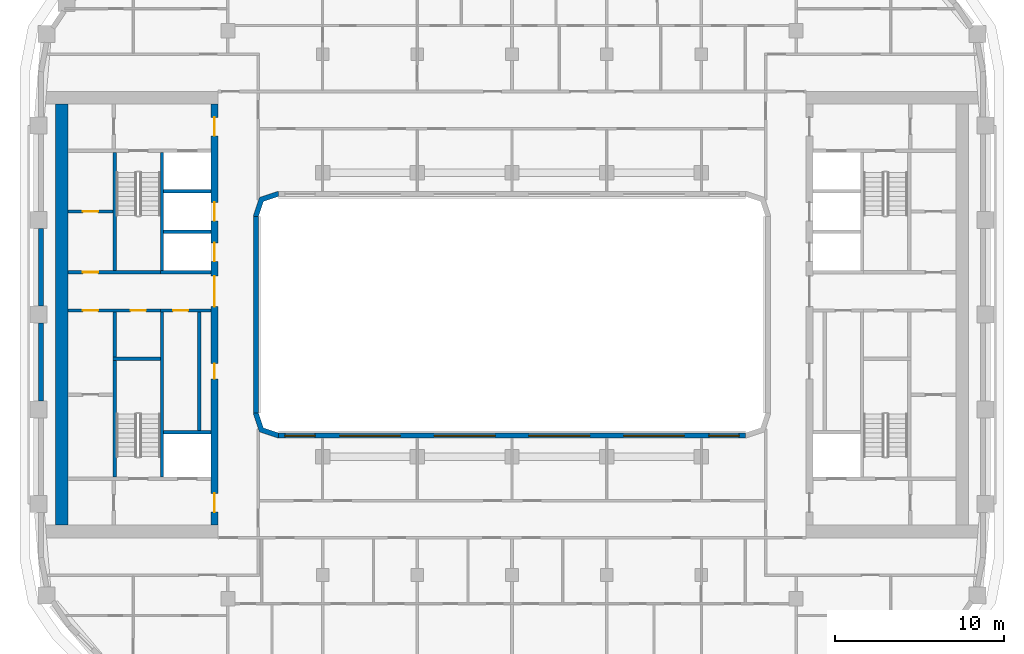
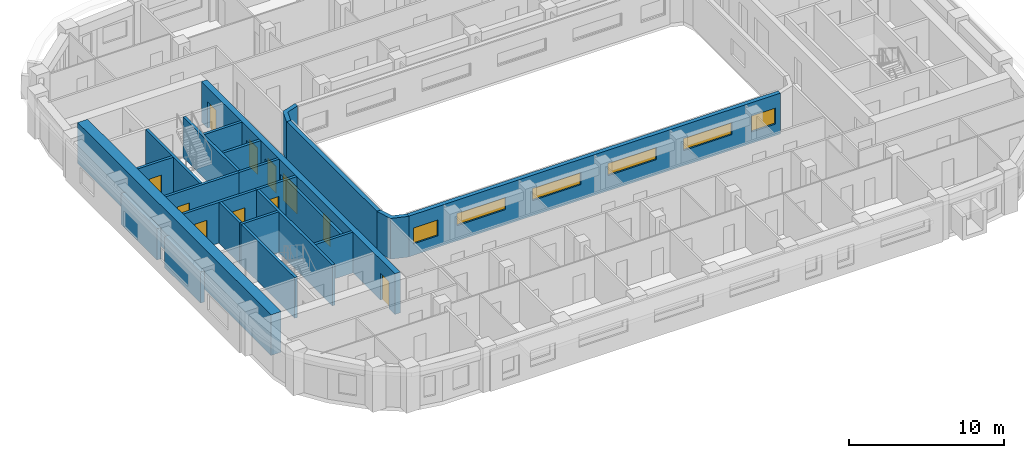
# One storey, part 4 of 22: 23 walls, 11 doors, 6 windows, 17 openings.
"""IFC4 building model written with IfcOpenShell, lengths in metres."""

import ifcopenshell
import ifcopenshell.guid

model = None  # the IFC model being written
_history = None  # IfcOwnerHistory: only IFC2X3 demands one
_inside = {}  # id of a spatial element -> (the spatial element, [elements in it])
_under = {}  # id of a project, library or spatial element -> (it, [spatial elements below it])
_declared = {}  # id of a project -> (the project, [libraries it declares])
_typed = {}  # id of a type object -> (the type object, [elements of that type])
_made_of = {}  # id of a material, layer set ... -> (it, [elements and type objects made of it])


def new_model(schema):
    """Start an empty IFC model of exactly this schema.

    Asked for "IFC4X3", IfcOpenShell would pick the latest addendum, in which some entities
    have other attributes; the version numbers below select the first issue.
    IFC2X3 requires an IfcOwnerHistory on every rooted entity: one is made here for all.
    """
    global model, _history
    if schema == "IFC4X3":
        model = ifcopenshell.file(schema_version=(4, 3, 0, 0))
    else:
        model = ifcopenshell.file(schema=schema)
    _inside.clear()
    _under.clear()
    _declared.clear()
    _typed.clear()
    _made_of.clear()
    _history = None
    if model.schema == "IFC2X3":
        org = make("IfcOrganization", Name="unknown")
        user = make(
            "IfcPersonAndOrganization",
            ThePerson=make("IfcPerson", FamilyName="unknown"),
            TheOrganization=org,
        )
        app = make(
            "IfcApplication",
            ApplicationDeveloper=org,
            Version="unknown",
            ApplicationFullName="unknown",
            ApplicationIdentifier="unknown",
        )
        _history = make(
            "IfcOwnerHistory",
            OwningUser=user,
            OwningApplication=app,
            ChangeAction="ADDED",
            CreationDate=0,
        )
    return model


def make(cls, **values):
    """One entity of the class cls with the attributes given. An attribute that is None is left unset."""
    return model.create_entity(
        cls, **{name: value for name, value in values.items() if value is not None}
    )


def rooted(cls, **values):
    """An entity with a GlobalId (a new one), such as an element, a storey or a relation."""
    return make(cls, GlobalId=ifcopenshell.guid.new(), OwnerHistory=_history, **values)


def si_unit(unit_type, name, prefix=None):
    """IfcSIUnit, for example si_unit("LENGTHUNIT", "METRE", prefix="MILLI")."""
    return make("IfcSIUnit", UnitType=unit_type, Prefix=prefix, Name=name)


def assignment(units):
    """IfcUnitAssignment: the units of a project."""
    return None if units is None else make("IfcUnitAssignment", Units=units)


def point(xyz):
    """IfcCartesianPoint."""
    return None if xyz is None else make("IfcCartesianPoint", Coordinates=xyz)


def direction(xyz):
    """IfcDirection."""
    return None if xyz is None else make("IfcDirection", DirectionRatios=xyz)


def frame(location, z_axis=None, x_axis=None):
    """IfcAxis2Placement3D, a coordinate frame: its origin and axes. An axis left out is left unset."""
    return make(
        "IfcAxis2Placement3D",
        Location=point(location),
        Axis=direction(z_axis),
        RefDirection=direction(x_axis),
    )


def frame_2d(location, x_axis=None):
    """IfcAxis2Placement2D, a coordinate frame in the plane: its origin and x axis."""
    return make(
        "IfcAxis2Placement2D", Location=point(location), RefDirection=direction(x_axis)
    )


def origin():
    """The frame at (0, 0, 0) with its axes left unset."""
    return frame((0.0, 0.0, 0.0))


def place(relative_to, where):
    """IfcLocalPlacement: puts the frame where relative to a parent placement (None: the world)."""
    return make(
        "IfcLocalPlacement", PlacementRelTo=relative_to, RelativePlacement=where
    )


def context(
    kind, dimensions, precision=None, world=None, true_north=None, identifier=None
):
    """IfcGeometricRepresentationContext, for example the 3D "Model" context."""
    return make(
        "IfcGeometricRepresentationContext",
        ContextIdentifier=identifier,
        ContextType=kind,
        CoordinateSpaceDimension=dimensions,
        Precision=precision,
        WorldCoordinateSystem=world,
        TrueNorth=true_north,
    )


def subcontext(parent, identifier, kind, view, scale=None):
    """IfcGeometricRepresentationSubContext, for example "Body" below "Model"."""
    return make(
        "IfcGeometricRepresentationSubContext",
        ContextIdentifier=identifier,
        ContextType=kind,
        ParentContext=parent,
        TargetScale=scale,
        TargetView=view,
    )


def project(units=None, contexts=None):
    """IfcProject with its units and contexts."""
    return rooted(
        "IfcProject",
        Name="project",
        RepresentationContexts=contexts,
        UnitsInContext=assignment(units),
    )


def spatial(cls, under=None, at=None, **own):
    """A site, building, storey or space (cls), placed at a placement, below another one or the project."""
    s = rooted(cls, ObjectPlacement=at, **own)
    if under is not None:
        _under.setdefault(under.id(), (under, []))[1].append(s)
    return s


def polyline(points):
    """IfcPolyline through the points."""
    return make("IfcPolyline", Points=[point(p) for p in points])


def profile(cls, at=None, kind="AREA", **sizes):
    """A parametric profile (cls). Its sizes go by their IFC names, for example OverallWidth=200.0."""
    return make(cls, ProfileType=kind, Position=at, **sizes)


def rectangle(**sizes):
    """IfcRectangleProfileDef."""
    return profile("IfcRectangleProfileDef", **sizes)


def outline(outer, holes=None, kind="AREA"):
    """IfcArbitraryClosedProfileDef: a profile drawn as a closed curve; with holes, ...WithVoids."""
    if holes is None:
        return make("IfcArbitraryClosedProfileDef", ProfileType=kind, OuterCurve=outer)
    return make(
        "IfcArbitraryProfileDefWithVoids",
        ProfileType=kind,
        OuterCurve=outer,
        InnerCurves=holes,
    )


def extrude(swept, where, along, depth):
    """IfcExtrudedAreaSolid: the profile swept, set in the frame where, extruded along a direction by depth."""
    return make(
        "IfcExtrudedAreaSolid",
        SweptArea=swept,
        Position=where,
        ExtrudedDirection=direction(along),
        Depth=depth,
    )


def shape(context_of_items, identifier, shape_type, items):
    """IfcShapeRepresentation: the items that make up one representation, for example the "Body"."""
    return make(
        "IfcShapeRepresentation",
        ContextOfItems=context_of_items,
        RepresentationIdentifier=identifier,
        RepresentationType=shape_type,
        Items=items,
    )


def material(Name=None, Category=None):
    """IfcMaterial."""
    return make("IfcMaterial", Name=Name, Category=Category)


def layer(
    of_material, thickness, ventilated=None, Name=None, Category=None, Priority=None
):
    """IfcMaterialLayer: one layer of a wall or slab, of a material (None: an air gap)."""
    return make(
        "IfcMaterialLayer",
        Material=of_material,
        LayerThickness=thickness,
        IsVentilated=ventilated,
        Name=Name,
        Category=Category,
        Priority=Priority,
    )


def layer_set(layers, Name=None):
    """IfcMaterialLayerSet."""
    return make("IfcMaterialLayerSet", MaterialLayers=layers, LayerSetName=Name)


def made_of(thing, what):
    """Note that an element or type object is made of a material, layer set ...; save() writes the relation."""
    if what is not None:
        _made_of.setdefault(what.id(), (what, []))[1].append(thing)
    return thing


def type_object(cls, material=None, **own):
    """A type object (cls), such as IfcWallType, which elements share."""
    return made_of(rooted(cls, **own), material)


def element(
    cls,
    number,
    at=None,
    inside=None,
    cuts=None,
    type_object=None,
    material=None,
    context=None,
    identifier="Body",
    shape_type=None,
    held_by="IfcProductDefinitionShape",
    body=None,
    shapes=None,
    **own,
):
    """One element of the class cls, such as IfcWall. Its Tag is "e" and its number.

    at: its placement. inside: the storey or other place that contains it. cuts: it is an
    opening in that element (IfcRelVoidsElement). A single representation is given by context,
    identifier, shape_type and body (its items); several are given by shapes. held_by: the class
    of the entity that holds the representations. save() writes the other relations.
    """
    e = rooted(cls, Tag="e%d" % number, ObjectPlacement=at, **own)
    if body is not None:
        shapes = [shape(context, identifier, shape_type, body)]
    if shapes is not None:
        e.Representation = make(held_by, Representations=shapes)
    if inside is not None:
        _inside.setdefault(inside.id(), (inside, []))[1].append(e)
    if cuts is not None:
        rooted(
            "IfcRelVoidsElement", RelatingBuildingElement=cuts, RelatedOpeningElement=e
        )
    if type_object is not None:
        _typed.setdefault(type_object.id(), (type_object, []))[1].append(e)
    return made_of(e, material)


def fill(opening, filler):
    """IfcRelFillsElement: the door or window that sits in an opening."""
    return rooted(
        "IfcRelFillsElement",
        RelatingOpeningElement=opening,
        RelatedBuildingElement=filler,
    )


def aggregate(whole, parts):
    """IfcRelAggregates: a whole, such as a stair, and the parts it consists of."""
    return rooted("IfcRelAggregates", RelatingObject=whole, RelatedObjects=parts)


def save(model, path):
    """Write the relations noted so far, then the file.

    IfcRelAggregates (storeys below a building ...), IfcRelContainedInSpatialStructure (elements
    in a storey), IfcRelDefinesByType, IfcRelAssociatesMaterial and IfcRelDeclares: one each for
    every whole, place, type object, material and project.
    """
    for whole, parts in _under.values():
        aggregate(whole, parts)
    for where, things in _inside.values():
        rooted(
            "IfcRelContainedInSpatialStructure",
            RelatedElements=things,
            RelatingStructure=where,
        )
    for kind, things in _typed.values():
        rooted("IfcRelDefinesByType", RelatedObjects=things, RelatingType=kind)
    for what, things in _made_of.values():
        rooted("IfcRelAssociatesMaterial", RelatedObjects=things, RelatingMaterial=what)
    for by, libraries in _declared.values():
        rooted("IfcRelDeclares", RelatingContext=by, RelatedDefinitions=libraries)
    model.write(path)


model = new_model("IFC4")

# Units and contexts
model_context = context("Model", 3, precision=1e-05, world=origin(), true_north=direction((0.0, 1.0)))
body_context = subcontext(model_context, "Body", "Model", "MODEL_VIEW")
ifc_project = project(units=[si_unit("LENGTHUNIT", "METRE"), si_unit("AREAUNIT", "SQUARE_METRE"), si_unit("VOLUMEUNIT", "CUBIC_METRE"), si_unit("PLANEANGLEUNIT", "RADIAN"), si_unit("MASSUNIT", "GRAM", prefix="KILO")], contexts=[model_context])

# Site, building, storey
site_placement = place(None, origin())
site = spatial("IfcSite", under=ifc_project, at=site_placement, CompositionType="ELEMENT")
building_placement = place(site_placement, origin())
building = spatial("IfcBuilding", under=site, at=building_placement, Name="Kiln Ring Residences", CompositionType="ELEMENT")
storey_placement = place(building_placement, frame((0.0, 0.0, 164.10009765625)))
storey = spatial("IfcBuildingStorey", under=building, at=storey_placement, Name="L42", CompositionType="ELEMENT", Elevation=164.10009765625)

# Wall
ifc_material_1 = material(Name="Gypsum board on steel studs", Category="steel")
ifc_layer_1 = layer(ifc_material_1, 0.199951171875)
ifc_layer_set_1 = layer_set([ifc_layer_1], Name="CORE-PARTITION-200")
wall_type_1 = type_object("IfcWallType", Name="CORE-PARTITION-200", PredefinedType="PARTITIONING", material=ifc_layer_set_1)
wall_1_placement = place(storey_placement, frame((-23.5, -2.5, 0.0), z_axis=(0.0, 0.0, 1.0), x_axis=(0.0, 1.0, 0.0)))
element("IfcWall", 1, at=wall_1_placement, inside=storey, type_object=wall_type_1, Name="Core partition west L42 1", PredefinedType="PARTITIONING", context=body_context, shape_type="SweptSolid", body=[
    extrude(rectangle(XDim=2.64990234375, YDim=0.199951171875, at=frame_2d((1.324951171875, 0.0))), origin(), (0.0, 0.0, 1.0), 3.199951171875),
])

# Wall, openings, doors
wall_2_placement = place(storey_placement, frame((-20.800048828125, 0.25, 0.0), z_axis=(0.0, 0.0, 1.0), x_axis=(-1.0, 0.0, 0.0)))
wall_2 = element("IfcWall", 2, at=wall_2_placement, inside=storey, type_object=wall_type_1, Name="Core partition west L42 2", PredefinedType="PARTITIONING", context=body_context, shape_type="SweptSolid", body=[
    extrude(rectangle(XDim=5.449951171875, YDim=0.199951171875, at=frame_2d((2.72509765625, 0.0))), origin(), (0.0, 0.0, 1.0), 3.199951171875),
])
opening_1_placement = place(wall_2_placement, frame((0.85009765625, 0.0, 0.0)))
opening_1 = element("IfcOpeningElement", 3, at=opening_1_placement, cuts=wall_2, Name="Opening L42-CW14", PredefinedType="OPENING", context=body_context, shape_type="SweptSolid", body=[
    extrude(rectangle(XDim=0.89990234375, YDim=2.10009765625, at=frame_2d((0.449951171875, 1.050048828125))), frame((0.0, 0.10986328125, 0.0), z_axis=(0.0, -1.0, 0.0), x_axis=(1.0, 0.0, 0.0)), (0.0, 0.0, 1.0), 0.219970703125),
])
opening_2_placement = place(wall_2_placement, frame((3.675048828125, 0.0, 0.0)))
opening_2 = element("IfcOpeningElement", 4, at=opening_2_placement, cuts=wall_2, Name="Opening L42-CW16", PredefinedType="OPENING", context=body_context, shape_type="SweptSolid", body=[
    extrude(rectangle(XDim=0.89990234375, YDim=2.10009765625, at=frame_2d((0.449951171875, 1.050048828125))), frame((0.0, 0.10986328125, 0.0), z_axis=(0.0, -1.0, 0.0), x_axis=(1.0, 0.0, 0.0)), (0.0, 0.0, 1.0), 0.219970703125),
])
ifc_material_2 = material(Name="Steel door leaf", Category="steel")
door_type_1 = type_object("IfcDoorType", Name="CORE-DOOR-ROOM", OperationType="SINGLE_SWING_LEFT", PredefinedType="DOOR", material=ifc_material_2)
door_1_placement = place(opening_1_placement, origin())
door_1 = element("IfcDoor", 5, at=door_1_placement, inside=storey, type_object=door_type_1, Name="Comms room L42-CW14", OperationType="SINGLE_SWING_RIGHT", OverallHeight=2.10009765625, OverallWidth=0.89990234375, PredefinedType="DOOR", context=body_context, shape_type="SweptSolid", body=[
    extrude(rectangle(XDim=0.89990234375, YDim=2.10009765625, at=frame_2d((0.449951171875, 1.050048828125))), frame((0.0, 0.02490234375, 0.0), z_axis=(0.0, -1.0, 0.0), x_axis=(1.0, 0.0, 0.0)), (0.0, 0.0, 1.0), 0.050048828125),
])
fill(opening_1, door_1)
door_2_placement = place(opening_2_placement, origin())
door_2 = element("IfcDoor", 6, at=door_2_placement, inside=storey, type_object=door_type_1, Name="Meter room L42-CW16", OperationType="SINGLE_SWING_RIGHT", OverallHeight=2.10009765625, OverallWidth=0.89990234375, PredefinedType="DOOR", context=body_context, shape_type="SweptSolid", body=[
    extrude(rectangle(XDim=0.89990234375, YDim=2.10009765625, at=frame_2d((0.449951171875, 1.050048828125))), frame((0.0, 0.02490234375, 0.0), z_axis=(0.0, -1.0, 0.0), x_axis=(1.0, 0.0, 0.0)), (0.0, 0.0, 1.0), 0.050048828125),
])
fill(opening_2, door_2)

# Wall
wall_3_placement = place(storey_placement, frame((-18.5, -6.85009765625, 0.0), z_axis=(0.0, 0.0, 1.0), x_axis=(0.0, 1.0, 0.0)))
element("IfcWall", 7, at=wall_3_placement, inside=storey, type_object=wall_type_1, Name="Core partition west L42 3", PredefinedType="PARTITIONING", context=body_context, shape_type="SweptSolid", body=[
    extrude(rectangle(XDim=7.0, YDim=0.199951171875, at=frame_2d((3.5, 0.0))), origin(), (0.0, 0.0, 1.0), 3.199951171875),
])

# Wall, opening, door
wall_4_placement = place(storey_placement, frame((-23.60009765625, 6.10009765625, 0.0), z_axis=(0.0, 0.0, 1.0), x_axis=(-1.0, 0.0, 0.0)))
wall_4 = element("IfcWall", 8, at=wall_4_placement, inside=storey, type_object=wall_type_1, Name="Core partition west L42 7", PredefinedType="PARTITIONING", context=body_context, shape_type="SweptSolid", body=[
    extrude(rectangle(XDim=2.64990234375, YDim=0.199951171875, at=frame_2d((1.324951171875, 0.0))), origin(), (0.0, 0.0, 1.0), 3.199951171875),
])
opening_3_placement = place(wall_4_placement, frame((0.875, 0.0, 0.0)))
opening_3 = element("IfcOpeningElement", 9, at=opening_3_placement, cuts=wall_4, Name="Opening L42-CW17", PredefinedType="OPENING", context=body_context, shape_type="SweptSolid", body=[
    extrude(rectangle(XDim=0.89990234375, YDim=2.10009765625, at=frame_2d((0.449951171875, 1.050048828125))), frame((0.0, 0.10986328125, 0.0), z_axis=(0.0, -1.0, 0.0), x_axis=(1.0, 0.0, 0.0)), (0.0, 0.0, 1.0), 0.219970703125),
])
door_3_placement = place(opening_3_placement, origin())
door_3 = element("IfcDoor", 10, at=door_3_placement, inside=storey, type_object=door_type_1, Name="Comms room L42-CW17", OperationType="SINGLE_SWING_RIGHT", OverallHeight=2.10009765625, OverallWidth=0.89990234375, PredefinedType="DOOR", context=body_context, shape_type="SweptSolid", body=[
    extrude(rectangle(XDim=0.89990234375, YDim=2.10009765625, at=frame_2d((0.449951171875, 1.050048828125))), frame((0.0, 0.02490234375, 0.0), z_axis=(0.0, -1.0, 0.0), x_axis=(1.0, 0.0, 0.0)), (0.0, 0.0, 1.0), 0.050048828125),
])
fill(opening_3, door_3)

# Wall
ifc_material_3 = material(Name="Gypsum shaft wall system")
ifc_layer_2 = layer(ifc_material_3, 0.199951171875)
ifc_layer_set_2 = layer_set([ifc_layer_2], Name="CORE-SHAFT-WALL-200")
wall_type_2 = type_object("IfcWallType", Name="CORE-SHAFT-WALL-200", PredefinedType="PARTITIONING", material=ifc_layer_set_2)
wall_5_placement = place(storey_placement, frame((-17.800048828125, -6.949951171875, 0.0), z_axis=(0.0, 0.0, 1.0), x_axis=(-1.0, 0.0, 0.0)))
element("IfcWall", 11, at=wall_5_placement, inside=storey, type_object=wall_type_2, Name="Core partition west L42 8", PredefinedType="PARTITIONING", context=body_context, shape_type="SweptSolid", body=[
    extrude(rectangle(XDim=2.800048828125, YDim=0.199951171875, at=frame_2d((1.39990234375, 0.0))), origin(), (0.0, 0.0, 1.0), 3.199951171875),
])

# Wall, opening, door
wall_6_placement = place(storey_placement, frame((-17.800048828125, 0.25, 0.0), z_axis=(0.0, 0.0, 1.0), x_axis=(-1.0, 0.0, 0.0)))
wall_6 = element("IfcWall", 12, at=wall_6_placement, inside=storey, type_object=wall_type_2, Name="Core partition west L42 9", PredefinedType="PARTITIONING", context=body_context, shape_type="SweptSolid", body=[
    extrude(rectangle(XDim=3.0, YDim=0.199951171875, at=frame_2d((1.5, 0.0))), origin(), (0.0, 0.0, 1.0), 3.199951171875),
])
opening_4_placement = place(wall_6_placement, frame((1.35009765625, 0.0, 0.0)))
opening_4 = element("IfcOpeningElement", 13, at=opening_4_placement, cuts=wall_6, Name="Opening L42-CW03", PredefinedType="OPENING", context=body_context, shape_type="SweptSolid", body=[
    extrude(rectangle(XDim=0.89990234375, YDim=2.10009765625, at=frame_2d((0.449951171875, 1.050048828125))), frame((0.0, 0.10986328125, 0.0), z_axis=(0.0, -1.0, 0.0), x_axis=(1.0, 0.0, 0.0)), (0.0, 0.0, 1.0), 0.219970703125),
])
door_4_placement = place(opening_4_placement, origin())
door_4 = element("IfcDoor", 14, at=door_4_placement, inside=storey, type_object=door_type_1, Name="Service store L42-CW03", OperationType="SINGLE_SWING_LEFT", OverallHeight=2.10009765625, OverallWidth=0.89990234375, PredefinedType="DOOR", context=body_context, shape_type="SweptSolid", body=[
    extrude(rectangle(XDim=0.89990234375, YDim=2.10009765625, at=frame_2d((0.449951171875, 1.050048828125))), frame((0.0, 0.02490234375, 0.0), z_axis=(0.0, -1.0, 0.0), x_axis=(1.0, 0.0, 0.0)), (0.0, 0.0, 1.0), 0.050048828125),
])
fill(opening_4, door_4)

# Walls
wall_7_placement = place(storey_placement, frame((-17.800048828125, 2.5, 0.0), z_axis=(0.0, 0.0, 1.0), x_axis=(-1.0, 0.0, 0.0)))
element("IfcWall", 15, at=wall_7_placement, inside=storey, type_object=wall_type_2, Name="Core partition west L42 10", PredefinedType="PARTITIONING", context=body_context, shape_type="SweptSolid", body=[
    extrude(rectangle(XDim=3.0, YDim=0.199951171875, at=frame_2d((1.5, 0.0))), origin(), (0.0, 0.0, 1.0), 3.199951171875),
])
for number, where, z_axis, x_axis, name in (
    (16, (-17.800048828125, 4.89990234375, 0.0), (0.0, 0.0, 1.0), (-1.0, 0.0, 0.0), "Core partition west L42 11"),
    (17, (-17.800048828125, 7.300048828125, 0.0), (0.0, 0.0, 1.0), (-1.0, 0.0, 0.0), "Core partition west L42 12"),
):
    element("IfcWall", number, at=place(storey_placement, frame(where, z_axis=z_axis, x_axis=x_axis)), inside=storey, type_object=wall_type_2, Name=name, PredefinedType="PARTITIONING", context=body_context, shape_type="SweptSolid", body=[
        extrude(rectangle(XDim=2.800048828125, YDim=0.199951171875, at=frame_2d((1.39990234375, 0.0))), origin(), (0.0, 0.0, 1.0), 3.199951171875),
    ])
ifc_material_4 = material(Name="Concrete C40/50", Category="concrete")
ifc_layer_3 = layer(ifc_material_4, 0.199951171875)
ifc_layer_set_3 = layer_set([ifc_layer_3], Name="CORE-WALL-RC200")
wall_type_3 = type_object("IfcWallType", Name="CORE-WALL-RC200", PredefinedType="SHEAR", material=ifc_layer_set_3)
wall_8_placement = place(storey_placement, frame((-20.699951171875, 2.60009765625, 0.0), z_axis=(0.0, 0.0, 1.0), x_axis=(0.0, 1.0, 0.0)))
element("IfcWall", 18, at=wall_8_placement, inside=storey, type_object=wall_type_3, Name="Core wall west L42 1", PredefinedType="SHEAR", context=body_context, shape_type="SweptSolid", body=[
    extrude(rectangle(XDim=7.0, YDim=0.199951171875, at=frame_2d((3.5, 0.0))), origin(), (0.0, 0.0, 1.0), 3.199951171875),
])
wall_9_placement = place(storey_placement, frame((-20.699951171875, -9.60009765625, 0.0), z_axis=(0.0, 0.0, 1.0), x_axis=(0.0, 1.0, 0.0)))
element("IfcWall", 19, at=wall_9_placement, inside=storey, type_object=wall_type_3, Name="Core wall west L42 2", PredefinedType="SHEAR", context=body_context, shape_type="SweptSolid", body=[
    extrude(rectangle(XDim=9.75, YDim=0.199951171875, at=frame_2d((4.875, 0.0))), origin(), (0.0, 0.0, 1.0), 3.199951171875),
])

# Wall, opening, door
wall_10_placement = place(storey_placement, frame((-20.800048828125, 2.5, 0.0), z_axis=(0.0, 0.0, 1.0), x_axis=(-1.0, 0.0, 0.0)))
wall_10 = element("IfcWall", 20, at=wall_10_placement, inside=storey, type_object=wall_type_3, Name="Core wall west L42 3", PredefinedType="SHEAR", context=body_context, shape_type="SweptSolid", body=[
    extrude(rectangle(XDim=5.449951171875, YDim=0.199951171875, at=frame_2d((2.72509765625, 0.0))), origin(), (0.0, 0.0, 1.0), 3.199951171875),
])
opening_5_placement = place(wall_10_placement, frame((3.675048828125, 0.0, 0.0)))
opening_5 = element("IfcOpeningElement", 21, at=opening_5_placement, cuts=wall_10, Name="Opening L42-CW18", PredefinedType="OPENING", context=body_context, shape_type="SweptSolid", body=[
    extrude(rectangle(XDim=0.89990234375, YDim=2.10009765625, at=frame_2d((0.449951171875, 1.050048828125))), frame((0.0, 0.10986328125, 0.0), z_axis=(0.0, -1.0, 0.0), x_axis=(1.0, 0.0, 0.0)), (0.0, 0.0, 1.0), 0.219970703125),
])
door_5_placement = place(opening_5_placement, origin())
door_5 = element("IfcDoor", 22, at=door_5_placement, inside=storey, type_object=door_type_1, Name="Electrical plant room L42-CW18", OperationType="SINGLE_SWING_LEFT", OverallHeight=2.10009765625, OverallWidth=0.89990234375, PredefinedType="DOOR", context=body_context, shape_type="SweptSolid", body=[
    extrude(rectangle(XDim=0.89990234375, YDim=2.10009765625, at=frame_2d((0.449951171875, 1.050048828125))), frame((0.0, 0.02490234375, 0.0), z_axis=(0.0, -1.0, 0.0), x_axis=(1.0, 0.0, 0.0)), (0.0, 0.0, 1.0), 0.050048828125),
])
fill(opening_5, door_5)

# Walls
wall_11_placement = place(storey_placement, frame((-23.5, 2.60009765625, 0.0), z_axis=(0.0, 0.0, 1.0), x_axis=(0.0, 1.0, 0.0)))
element("IfcWall", 23, at=wall_11_placement, inside=storey, type_object=wall_type_3, Name="Core wall west L42 10", PredefinedType="SHEAR", context=body_context, shape_type="SweptSolid", body=[
    extrude(rectangle(XDim=7.0, YDim=0.199951171875, at=frame_2d((3.5, 0.0))), origin(), (0.0, 0.0, 1.0), 3.199951171875),
])
wall_12_placement = place(storey_placement, frame((-23.5, -9.60009765625, 0.0), z_axis=(0.0, 0.0, 1.0), x_axis=(0.0, 1.0, 0.0)))
element("IfcWall", 24, at=wall_12_placement, inside=storey, type_object=wall_type_3, Name="Core wall west L42 11", PredefinedType="SHEAR", context=body_context, shape_type="SweptSolid", body=[
    extrude(rectangle(XDim=6.900146484375, YDim=0.199951171875, at=frame_2d((3.4501953125, 0.0))), origin(), (0.0, 0.0, 1.0), 3.199951171875),
])
wall_13_placement = place(storey_placement, frame((-20.800048828125, -2.60009765625, 0.0), z_axis=(0.0, 0.0, 1.0), x_axis=(-1.0, 0.0, 0.0)))
element("IfcWall", 25, at=wall_13_placement, inside=storey, type_object=wall_type_3, Name="Core wall west L42 12", PredefinedType="SHEAR", context=body_context, shape_type="SweptSolid", body=[
    extrude(rectangle(XDim=2.800048828125, YDim=0.199951171875, at=frame_2d((1.39990234375, 0.0))), origin(), (0.0, 0.0, 1.0), 3.199951171875),
])

# Wall, openings, doors
ifc_material_5 = material(Name="Concrete C60/75", Category="concrete")
ifc_layer_4 = layer(ifc_material_5, 0.39990234375)
ifc_layer_set_4 = layer_set([ifc_layer_4], Name="CORE-WALL-RC400")
wall_type_4 = type_object("IfcWallType", Name="CORE-WALL-RC400", PredefinedType="SHEAR", material=ifc_layer_set_4)
wall_14_placement = place(storey_placement, frame((-17.60009765625, -12.449951171875, 0.0), z_axis=(0.0, 0.0, 1.0), x_axis=(0.0, 1.0, 0.0)))
wall_14 = element("IfcWall", 26, at=wall_14_placement, inside=storey, type_object=wall_type_4, Name="Core wall west L42 6", PredefinedType="SHEAR", context=body_context, shape_type="SweptSolid", body=[
    extrude(rectangle(XDim=24.89990234375, YDim=0.39990234375, at=frame_2d((12.449951171875, 0.0))), origin(), (0.0, 0.0, 1.0), 3.199951171875),
])
opening_6_placement = place(wall_14_placement, frame((8.64990234375, 0.0, 0.0)))
opening_6 = element("IfcOpeningElement", 27, at=opening_6_placement, cuts=wall_14, Name="Opening L42-CW02", PredefinedType="OPENING", context=body_context, shape_type="SweptSolid", body=[
    extrude(rectangle(XDim=0.89990234375, YDim=2.10009765625, at=frame_2d((0.449951171875, 1.050048828125))), frame((0.0, 0.2099609375, 0.0), z_axis=(0.0, -1.0, 0.0), x_axis=(1.0, 0.0, 0.0)), (0.0, 0.0, 1.0), 0.419921875),
])
opening_7_placement = place(wall_14_placement, frame((15.60009765625, 0.0, 0.0)))
opening_7 = element("IfcOpeningElement", 28, at=opening_7_placement, cuts=wall_14, Name="Opening L42-CW04", PredefinedType="OPENING", context=body_context, shape_type="SweptSolid", body=[
    extrude(rectangle(XDim=1.10009765625, YDim=2.10009765625, at=frame_2d((0.550048828125, 1.050048828125))), frame((0.0, 0.2099609375, 0.0), z_axis=(0.0, -1.0, 0.0), x_axis=(1.0, 0.0, 0.0)), (0.0, 0.0, 1.0), 0.419921875),
])
opening_8_placement = place(wall_14_placement, frame((18.0, 0.0, 0.0)))
opening_8 = element("IfcOpeningElement", 29, at=opening_8_placement, cuts=wall_14, Name="Opening L42-CW05", PredefinedType="OPENING", context=body_context, shape_type="SweptSolid", body=[
    extrude(rectangle(XDim=1.10009765625, YDim=2.10009765625, at=frame_2d((0.550048828125, 1.050048828125))), frame((0.0, 0.2099609375, 0.0), z_axis=(0.0, -1.0, 0.0), x_axis=(1.0, 0.0, 0.0)), (0.0, 0.0, 1.0), 0.419921875),
])
opening_9_placement = place(wall_14_placement, frame((23.02490234375, 0.0, 0.0)))
opening_9 = element("IfcOpeningElement", 30, at=opening_9_placement, cuts=wall_14, Name="Opening L42-CW07", PredefinedType="OPENING", context=body_context, shape_type="SweptSolid", body=[
    extrude(rectangle(XDim=1.10009765625, YDim=2.10009765625, at=frame_2d((0.550048828125, 1.050048828125))), frame((0.0, 0.2099609375, 0.0), z_axis=(0.0, -1.0, 0.0), x_axis=(1.0, 0.0, 0.0)), (0.0, 0.0, 1.0), 0.419921875),
])
opening_10_placement = place(wall_14_placement, frame((0.77490234375, 0.0, 0.0)))
opening_10 = element("IfcOpeningElement", 31, at=opening_10_placement, cuts=wall_14, Name="Opening L42-CW08", PredefinedType="OPENING", context=body_context, shape_type="SweptSolid", body=[
    extrude(rectangle(XDim=1.10009765625, YDim=2.10009765625, at=frame_2d((0.550048828125, 1.050048828125))), frame((0.0, 0.2099609375, 0.0), z_axis=(0.0, -1.0, 0.0), x_axis=(1.0, 0.0, 0.0)), (0.0, 0.0, 1.0), 0.419921875),
])
opening_11_placement = place(wall_14_placement, frame((12.925048828125, 0.0, 0.0)))
opening_11 = element("IfcOpeningElement", 32, at=opening_11_placement, cuts=wall_14, Name="Opening L42-CW13", PredefinedType="OPENING", context=body_context, shape_type="SweptSolid", body=[
    extrude(rectangle(XDim=1.800048828125, YDim=2.10009765625, at=frame_2d((0.89990234375, 1.050048828125))), frame((0.0, 0.2099609375, 0.0), z_axis=(0.0, -1.0, 0.0), x_axis=(1.0, 0.0, 0.0)), (0.0, 0.0, 1.0), 0.419921875),
])
ifc_material_6 = material(Name="Steel door leaf", Category="steel")
door_type_2 = type_object("IfcDoorType", Name="CORE-DOOR-LD", OperationType="DOUBLE_DOOR_SLIDING", PredefinedType="DOOR", material=ifc_material_6)
door_6_placement = place(opening_7_placement, origin())
door_6 = element("IfcDoor", 33, at=door_6_placement, inside=storey, type_object=door_type_2, Name="LD W-M1 L42-CW04", OperationType="DOUBLE_DOOR_SLIDING", OverallHeight=2.10009765625, OverallWidth=1.10009765625, PredefinedType="DOOR", context=body_context, shape_type="SweptSolid", body=[
    extrude(rectangle(XDim=1.10009765625, YDim=2.10009765625, at=frame_2d((0.550048828125, 1.050048828125))), frame((0.0, 0.02490234375, 0.0), z_axis=(0.0, -1.0, 0.0), x_axis=(1.0, 0.0, 0.0)), (0.0, 0.0, 1.0), 0.050048828125),
])
fill(opening_7, door_6)
door_7_placement = place(opening_8_placement, origin())
door_7 = element("IfcDoor", 34, at=door_7_placement, inside=storey, type_object=door_type_2, Name="LD W-M2 L42-CW05", OperationType="DOUBLE_DOOR_SLIDING", OverallHeight=2.10009765625, OverallWidth=1.10009765625, PredefinedType="DOOR", context=body_context, shape_type="SweptSolid", body=[
    extrude(rectangle(XDim=1.10009765625, YDim=2.10009765625, at=frame_2d((0.550048828125, 1.050048828125))), frame((0.0, 0.02490234375, 0.0), z_axis=(0.0, -1.0, 0.0), x_axis=(1.0, 0.0, 0.0)), (0.0, 0.0, 1.0), 0.050048828125),
])
fill(opening_8, door_7)
ifc_material_7 = material(Name="Steel door leaf", Category="steel")
door_type_3 = type_object("IfcDoorType", Name="CORE-DOOR-LOBBY", OperationType="SINGLE_SWING_LEFT", PredefinedType="DOOR", material=ifc_material_7)
door_8_placement = place(opening_9_placement, origin())
door_8 = element("IfcDoor", 35, at=door_8_placement, inside=storey, type_object=door_type_3, Name="FFL L42-CW07", OperationType="SINGLE_SWING_RIGHT", OverallHeight=2.10009765625, OverallWidth=1.10009765625, PredefinedType="DOOR", context=body_context, shape_type="SweptSolid", body=[
    extrude(rectangle(XDim=1.10009765625, YDim=2.10009765625, at=frame_2d((0.550048828125, 1.050048828125))), frame((0.0, 0.02490234375, 0.0), z_axis=(0.0, -1.0, 0.0), x_axis=(1.0, 0.0, 0.0)), (0.0, 0.0, 1.0), 0.050048828125),
])
fill(opening_9, door_8)
door_9_placement = place(opening_10_placement, origin())
door_9 = element("IfcDoor", 36, at=door_9_placement, inside=storey, type_object=door_type_3, Name="SVL L42-CW08", OperationType="SINGLE_SWING_LEFT", OverallHeight=2.10009765625, OverallWidth=1.10009765625, PredefinedType="DOOR", context=body_context, shape_type="SweptSolid", body=[
    extrude(rectangle(XDim=1.10009765625, YDim=2.10009765625, at=frame_2d((0.550048828125, 1.050048828125))), frame((0.0, 0.02490234375, 0.0), z_axis=(0.0, -1.0, 0.0), x_axis=(1.0, 0.0, 0.0)), (0.0, 0.0, 1.0), 0.050048828125),
])
fill(opening_10, door_9)
ifc_material_8 = material(Name="Steel door leaf", Category="steel")
door_type_4 = type_object("IfcDoorType", Name="CORE-DOOR-PASS", OperationType="DOUBLE_DOOR_SINGLE_SWING", PredefinedType="DOOR", material=ifc_material_8)
door_10_placement = place(opening_11_placement, origin())
door_10 = element("IfcDoor", 37, at=door_10_placement, inside=storey, type_object=door_type_4, Name="Core passage L42-CW13", OperationType="DOUBLE_DOOR_SINGLE_SWING", OverallHeight=2.10009765625, OverallWidth=1.800048828125, PredefinedType="DOOR", context=body_context, shape_type="SweptSolid", body=[
    extrude(rectangle(XDim=1.800048828125, YDim=2.10009765625, at=frame_2d((0.89990234375, 1.050048828125))), frame((0.0, 0.02490234375, 0.0), z_axis=(0.0, -1.0, 0.0), x_axis=(1.0, 0.0, 0.0)), (0.0, 0.0, 1.0), 0.050048828125),
])
fill(opening_11, door_10)
door_11_placement = place(opening_6_placement, origin())
door_11 = element("IfcDoor", 38, at=door_11_placement, inside=storey, type_object=door_type_1, Name="Locker store L42-CW02", OperationType="SINGLE_SWING_RIGHT", OverallHeight=2.10009765625, OverallWidth=0.89990234375, PredefinedType="DOOR", context=body_context, shape_type="SweptSolid", body=[
    extrude(rectangle(XDim=0.89990234375, YDim=2.10009765625, at=frame_2d((0.449951171875, 1.050048828125))), frame((0.0, 0.02490234375, 0.0), z_axis=(0.0, -1.0, 0.0), x_axis=(1.0, 0.0, 0.0)), (0.0, 0.0, 1.0), 0.050048828125),
])
fill(opening_6, door_11)

# Walls
ifc_material_9 = material(Name="Concrete C60/75", Category="concrete")
ifc_layer_5 = layer(ifc_material_9, 0.75)
ifc_layer_set_5 = layer_set([ifc_layer_5], Name="CORE-WALL-RC750")
wall_type_5 = type_object("IfcWallType", Name="CORE-WALL-RC750", PredefinedType="SHEAR", material=ifc_layer_set_5)
wall_15_placement = place(storey_placement, frame((-26.625, -12.449951171875, 0.0), z_axis=(0.0, 0.0, 1.0), x_axis=(0.0, 1.0, 0.0)))
element("IfcWall", 39, at=wall_15_placement, inside=storey, type_object=wall_type_5, Name="Core wall west L42 7", PredefinedType="SHEAR", context=body_context, shape_type="SweptSolid", body=[
    extrude(rectangle(XDim=24.89990234375, YDim=0.75, at=frame_2d((12.449951171875, 0.0))), origin(), (0.0, 0.0, 1.0), 3.199951171875),
])
ifc_material_10 = material(Name="Brick masonry, dark clay brick", Category="masonry")
ifc_layer_6 = layer(ifc_material_10, 0.300048828125)
ifc_layer_set_6 = layer_set([ifc_layer_6], Name="EW-300 BRICK WALL")
wall_type_6 = type_object("IfcWallType", Name="EW-300 BRICK WALL", PredefinedType="SOLIDWALL", material=ifc_layer_set_6)
for number, where, z_axis, x_axis, name in (
    (40, (-27.85009765625, 5.10009765625, 0.0), (0.0, 0.0, 1.0), (0.0, -1.0, 0.0), "Facade wall L42 43"),
    (41, (-27.85009765625, -0.5, 0.0), (0.0, 0.0, 1.0), (0.0, -1.0, 0.0), "Facade wall L42 44"),
):
    element("IfcWall", number, at=place(storey_placement, frame(where, z_axis=z_axis, x_axis=x_axis)), inside=storey, type_object=wall_type_6, Name=name, PredefinedType="SOLIDWALL", context=body_context, shape_type="SweptSolid", body=[
        extrude(rectangle(XDim=4.60009765625, YDim=0.300048828125, at=frame_2d((2.300048828125, 0.0))), origin(), (0.0, 0.0, 1.0), 2.449951171875),
    ])
wall_16_placement = place(storey_placement, frame((-15.14990234375, -5.800048828125, 0.0), z_axis=(0.0, 0.0, 1.0), x_axis=(0.0, 1.0, 0.0)))
element("IfcWall", 42, at=wall_16_placement, inside=storey, type_object=wall_type_6, Name="Facade wall L42 49", PredefinedType="SOLIDWALL", context=body_context, shape_type="SweptSolid", body=[
    extrude(rectangle(XDim=11.60009765625, YDim=0.300048828125, at=frame_2d((5.800048828125, 0.0))), origin(), (0.0, 0.0, 1.0), 3.199951171875),
])

# Wall, openings, windows
wall_17_placement = place(storey_placement, frame((13.800048828125, -7.14990234375, 0.0), z_axis=(0.0, 0.0, 1.0), x_axis=(-1.0, 0.0, 0.0)))
wall_17 = element("IfcWall", 43, at=wall_17_placement, inside=storey, type_object=wall_type_6, Name="Facade wall L42 52", PredefinedType="SOLIDWALL", context=body_context, shape_type="SweptSolid", body=[
    extrude(rectangle(XDim=27.60009765625, YDim=0.300048828125, at=frame_2d((13.800048828125, 0.0))), origin(), (0.0, 0.0, 1.0), 3.199951171875),
])
opening_12_placement = place(wall_17_placement, frame((0.362548828125, 0.0, 0.89990234375)))
opening_12 = element("IfcOpeningElement", 44, at=opening_12_placement, cuts=wall_17, Name="Opening W2", PredefinedType="OPENING", context=body_context, shape_type="SweptSolid", body=[
    extrude(rectangle(XDim=1.800048828125, YDim=1.25, at=frame_2d((0.89990234375, 0.625))), frame((0.0, 0.159912109375, 0.0), z_axis=(0.0, -1.0, 0.0), x_axis=(1.0, 0.0, 0.0)), (0.0, 0.0, 1.0), 0.320068359375),
])
opening_13_placement = place(wall_17_placement, frame((3.60009765625, 0.0, 1.199951171875)))
opening_13 = element("IfcOpeningElement", 45, at=opening_13_placement, cuts=wall_17, Name="Opening W4", PredefinedType="OPENING", context=body_context, shape_type="SweptSolid", body=[
    extrude(rectangle(XDim=3.60009765625, YDim=0.949951171875, at=frame_2d((1.800048828125, 0.47509765625))), frame((0.0, 0.159912109375, 0.0), z_axis=(0.0, -1.0, 0.0), x_axis=(1.0, 0.0, 0.0)), (0.0, 0.0, 1.0), 0.320068359375),
])
opening_14_placement = place(wall_17_placement, frame((9.199951171875, 0.0, 1.199951171875)))
opening_14 = element("IfcOpeningElement", 46, at=opening_14_placement, cuts=wall_17, Name="Opening W4", PredefinedType="OPENING", context=body_context, shape_type="SweptSolid", body=[
    extrude(rectangle(XDim=3.60009765625, YDim=0.949951171875, at=frame_2d((1.800048828125, 0.47509765625))), frame((0.0, 0.159912109375, 0.0), z_axis=(0.0, -1.0, 0.0), x_axis=(1.0, 0.0, 0.0)), (0.0, 0.0, 1.0), 0.320068359375),
])
opening_15_placement = place(wall_17_placement, frame((14.800048828125, 0.0, 1.199951171875)))
opening_15 = element("IfcOpeningElement", 47, at=opening_15_placement, cuts=wall_17, Name="Opening W4", PredefinedType="OPENING", context=body_context, shape_type="SweptSolid", body=[
    extrude(rectangle(XDim=3.60009765625, YDim=0.949951171875, at=frame_2d((1.800048828125, 0.47509765625))), frame((0.0, 0.159912109375, 0.0), z_axis=(0.0, -1.0, 0.0), x_axis=(1.0, 0.0, 0.0)), (0.0, 0.0, 1.0), 0.320068359375),
])
opening_16_placement = place(wall_17_placement, frame((20.39990234375, 0.0, 1.199951171875)))
opening_16 = element("IfcOpeningElement", 48, at=opening_16_placement, cuts=wall_17, Name="Opening W4", PredefinedType="OPENING", context=body_context, shape_type="SweptSolid", body=[
    extrude(rectangle(XDim=3.60009765625, YDim=0.949951171875, at=frame_2d((1.800048828125, 0.47509765625))), frame((0.0, 0.159912109375, 0.0), z_axis=(0.0, -1.0, 0.0), x_axis=(1.0, 0.0, 0.0)), (0.0, 0.0, 1.0), 0.320068359375),
])
opening_17_placement = place(wall_17_placement, frame((25.4375, 0.0, 0.89990234375)))
opening_17 = element("IfcOpeningElement", 49, at=opening_17_placement, cuts=wall_17, Name="Opening W2", PredefinedType="OPENING", context=body_context, shape_type="SweptSolid", body=[
    extrude(rectangle(XDim=1.800048828125, YDim=1.25, at=frame_2d((0.89990234375, 0.625))), frame((0.0, 0.159912109375, 0.0), z_axis=(0.0, -1.0, 0.0), x_axis=(1.0, 0.0, 0.0)), (0.0, 0.0, 1.0), 0.320068359375),
])
ifc_material_11 = material(Name="Aluminium frame with double glazing", Category="aluminium")
window_type_1 = type_object("IfcWindowType", Name="WINDOW 1800 x 1250", PartitioningType="SINGLE_PANEL", PredefinedType="WINDOW", material=ifc_material_11)
window_1_placement = place(opening_12_placement, origin())
window_1 = element("IfcWindow", 50, at=window_1_placement, inside=storey, type_object=window_type_1, Name="Window L42 38", OverallHeight=1.25, OverallWidth=1.800048828125, PartitioningType="SINGLE_PANEL", PredefinedType="WINDOW", context=body_context, shape_type="SweptSolid", body=[
    extrude(rectangle(XDim=1.800048828125, YDim=1.25, at=frame_2d((0.89990234375, 0.625))), frame((0.0, 0.030029296875, 0.0), z_axis=(0.0, -1.0, 0.0), x_axis=(1.0, 0.0, 0.0)), (0.0, 0.0, 1.0), 0.06005859375),
])
fill(opening_12, window_1)
window_2_placement = place(opening_17_placement, origin())
window_2 = element("IfcWindow", 51, at=window_2_placement, inside=storey, type_object=window_type_1, Name="Window L42 43", OverallHeight=1.25, OverallWidth=1.800048828125, PartitioningType="SINGLE_PANEL", PredefinedType="WINDOW", context=body_context, shape_type="SweptSolid", body=[
    extrude(rectangle(XDim=1.800048828125, YDim=1.25, at=frame_2d((0.89990234375, 0.625))), frame((0.0, 0.030029296875, 0.0), z_axis=(0.0, -1.0, 0.0), x_axis=(1.0, 0.0, 0.0)), (0.0, 0.0, 1.0), 0.06005859375),
])
fill(opening_17, window_2)
ifc_material_12 = material(Name="Aluminium frame with double glazing", Category="aluminium")
window_type_2 = type_object("IfcWindowType", Name="WINDOW 3600 x 950", PartitioningType="SINGLE_PANEL", PredefinedType="WINDOW", material=ifc_material_12)
window_3_placement = place(opening_13_placement, origin())
window_3 = element("IfcWindow", 52, at=window_3_placement, inside=storey, type_object=window_type_2, Name="Window L42 39", OverallHeight=0.949951171875, OverallWidth=3.60009765625, PartitioningType="SINGLE_PANEL", PredefinedType="WINDOW", context=body_context, shape_type="SweptSolid", body=[
    extrude(rectangle(XDim=3.60009765625, YDim=0.949951171875, at=frame_2d((1.800048828125, 0.47509765625))), frame((0.0, 0.030029296875, 0.0), z_axis=(0.0, -1.0, 0.0), x_axis=(1.0, 0.0, 0.0)), (0.0, 0.0, 1.0), 0.06005859375),
])
fill(opening_13, window_3)
window_4_placement = place(opening_14_placement, origin())
window_4 = element("IfcWindow", 53, at=window_4_placement, inside=storey, type_object=window_type_2, Name="Window L42 40", OverallHeight=0.949951171875, OverallWidth=3.60009765625, PartitioningType="SINGLE_PANEL", PredefinedType="WINDOW", context=body_context, shape_type="SweptSolid", body=[
    extrude(rectangle(XDim=3.60009765625, YDim=0.949951171875, at=frame_2d((1.800048828125, 0.47509765625))), frame((0.0, 0.030029296875, 0.0), z_axis=(0.0, -1.0, 0.0), x_axis=(1.0, 0.0, 0.0)), (0.0, 0.0, 1.0), 0.06005859375),
])
fill(opening_14, window_4)
window_5_placement = place(opening_15_placement, origin())
window_5 = element("IfcWindow", 54, at=window_5_placement, inside=storey, type_object=window_type_2, Name="Window L42 41", OverallHeight=0.949951171875, OverallWidth=3.60009765625, PartitioningType="SINGLE_PANEL", PredefinedType="WINDOW", context=body_context, shape_type="SweptSolid", body=[
    extrude(rectangle(XDim=3.60009765625, YDim=0.949951171875, at=frame_2d((1.800048828125, 0.47509765625))), frame((0.0, 0.030029296875, 0.0), z_axis=(0.0, -1.0, 0.0), x_axis=(1.0, 0.0, 0.0)), (0.0, 0.0, 1.0), 0.06005859375),
])
fill(opening_15, window_5)
window_6_placement = place(opening_16_placement, origin())
window_6 = element("IfcWindow", 55, at=window_6_placement, inside=storey, type_object=window_type_2, Name="Window L42 42", OverallHeight=0.949951171875, OverallWidth=3.60009765625, PartitioningType="SINGLE_PANEL", PredefinedType="WINDOW", context=body_context, shape_type="SweptSolid", body=[
    extrude(rectangle(XDim=3.60009765625, YDim=0.949951171875, at=frame_2d((1.800048828125, 0.47509765625))), frame((0.0, 0.030029296875, 0.0), z_axis=(0.0, -1.0, 0.0), x_axis=(1.0, 0.0, 0.0)), (0.0, 0.0, 1.0), 0.06005859375),
])
fill(opening_16, window_6)

# Walls
placement = place(storey_placement, origin())
element("IfcWall", 56, at=placement, inside=storey, type_object=wall_type_6, Name="Corner wall L42 1", PredefinedType="SOLIDWALL", context=body_context, shape_type="SweptSolid", body=[
    extrude(outline(polyline([(-13.8486328125, 7.300048828125), (-14.937255859375, 6.937255859375), (-15.300048828125, 5.8486328125), (-15.300048828125, 5.800048828125), (-15.0, 5.800048828125), (-14.699951171875, 6.699951171875), (-13.800048828125, 7.0), (-13.800048828125, 7.300048828125), (-13.8486328125, 7.300048828125)])), origin(), (0.0, 0.0, 1.0), 3.199951171875),
])
element("IfcWall", 57, at=placement, inside=storey, type_object=wall_type_6, Name="Corner wall L42 4", PredefinedType="SOLIDWALL", context=body_context, shape_type="SweptSolid", body=[
    extrude(outline(polyline([(-14.937255859375, -6.937255859375), (-13.8486328125, -7.300048828125), (-13.800048828125, -7.300048828125), (-13.800048828125, -7.0), (-14.699951171875, -6.699951171875), (-15.0, -5.800048828125), (-15.300048828125, -5.800048828125), (-15.300048828125, -5.8486328125), (-14.937255859375, -6.937255859375)])), origin(), (0.0, 0.0, 1.0), 3.199951171875),
])

save(model, "model.ifc")
